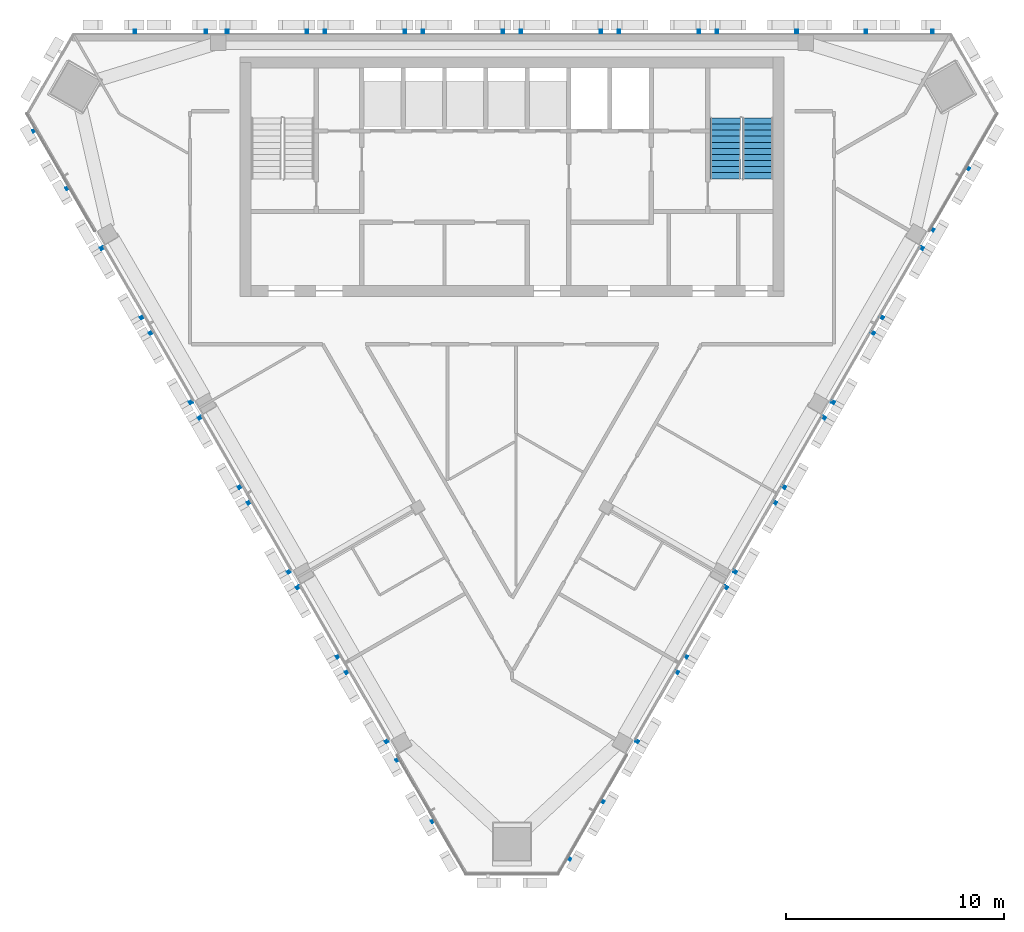
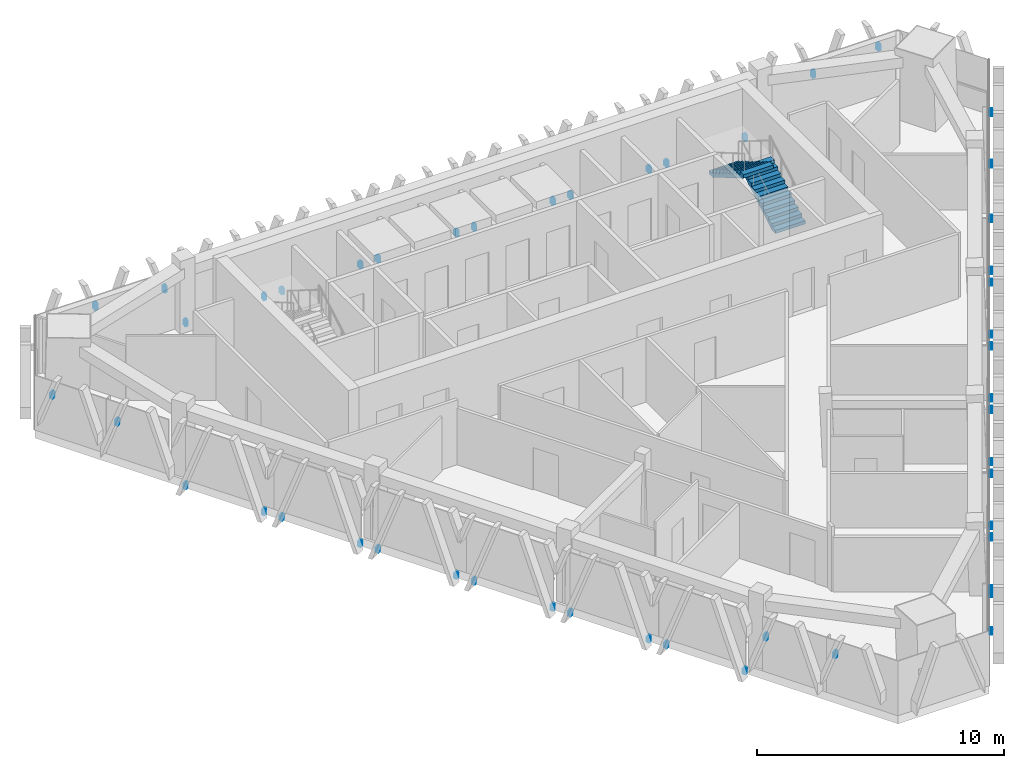
# One storey, part 10 of 14: 3 discrete accessories, 2 stair flights, 1 element without a shape of its own.
"""IFC4 building model written with IfcOpenShell, lengths in metres."""

from ifc_helpers import new_model, si_unit, direction, frame, origin, place, context, subcontext, project, spatial, polyline, outline, extrude, source, transform, mapped, material, type_object, element, aggregate, save


model = new_model("IFC4")

# Units and contexts
model_context = context("Model", 3, precision=1e-05, world=origin(), true_north=direction((0.0, 1.0)))
body_context = subcontext(model_context, "Body", "Model", "MODEL_VIEW")
ifc_project = project(units=[si_unit("LENGTHUNIT", "METRE"), si_unit("AREAUNIT", "SQUARE_METRE"), si_unit("VOLUMEUNIT", "CUBIC_METRE"), si_unit("PLANEANGLEUNIT", "RADIAN"), si_unit("MASSUNIT", "GRAM", prefix="KILO")], contexts=[model_context])

# Site, building, storey
site_placement = place(None, origin())
site = spatial("IfcSite", under=ifc_project, at=site_placement, CompositionType="ELEMENT")
building_placement = place(site_placement, origin())
building = spatial("IfcBuilding", under=site, at=building_placement, Name="Altiplano Prism Tower", CompositionType="ELEMENT")
storey_placement = place(building_placement, frame((0.0, 0.0, 295.0)))
storey = spatial("IfcBuildingStorey", under=building, at=storey_placement, Name="L76", CompositionType="ELEMENT", Elevation=295.0)

# Stair, stair flights
ifc_material_1 = material(Name="Concrete C40/50", Category="concrete")
stair_type = type_object("IfcStairType", Name="Exit stair 1400", PredefinedType="HALF_TURN_STAIR", material=ifc_material_1)
stair_placement = place(storey_placement, origin())
stair = element("IfcStair", 1, at=stair_placement, inside=storey, type_object=stair_type, Name="L76 Exit Stair 2", PredefinedType="HALF_TURN_STAIR")
stair_flight_type = type_object("IfcStairFlightType", Name="Stair flight concrete 150", PredefinedType="STRAIGHT", material=ifc_material_1)
stair_flight_1_placement = place(storey_placement, frame((96.300048828125, 98.300048828125, 0.0), z_axis=(0.0, 0.0, 1.0), x_axis=(0.0, 1.0, 0.0)))
stair_flight_1 = element("IfcStairFlight", 2, at=stair_flight_1_placement, type_object=stair_flight_type, Name="ST2 flight 1", NumberOfRisers=11, NumberOfTreads=10, PredefinedType="STRAIGHT", RiserHeight=0.163636364, TreadLength=0.28, context=body_context, shape_type="SweptSolid", body=[
    extrude(outline(polyline([(0.0, 0.0), (0.0, 0.16357421875), (0.280029296875, 0.16357421875), (0.280029296875, 0.327392578125), (0.56005859375, 0.327392578125), (0.56005859375, 0.490966796875), (0.840087890625, 0.490966796875), (0.840087890625, 0.654541015625), (1.1201171875, 0.654541015625), (1.1201171875, 0.818115234375), (1.39990234375, 0.818115234375), (1.39990234375, 0.98193359375), (1.679931640625, 0.98193359375), (1.679931640625, 1.1455078125), (1.9599609375, 1.1455078125), (1.9599609375, 1.30908203125), (2.239990234375, 1.30908203125), (2.239990234375, 1.47265625), (2.52001953125, 1.47265625), (2.52001953125, 1.636474609375), (2.800048828125, 1.636474609375), (2.800048828125, 1.800048828125), (2.800048828125, 1.462646484375), (0.297119140625, 0.0), (0.0, 0.0)])), frame((0.0, 0.699951171875, 0.0), z_axis=(0.0, -1.0, 0.0), x_axis=(1.0, 0.0, 0.0)), (0.0, 0.0, 1.0), 1.39990234375),
])
stair_flight_2_placement = place(storey_placement, frame((94.800048828125, 101.10009765625, 1.800048828125), z_axis=(0.0, 0.0, 1.0), x_axis=(0.0, -1.0, 0.0)))
stair_flight_2 = element("IfcStairFlight", 3, at=stair_flight_2_placement, type_object=stair_flight_type, Name="ST2 flight 2", NumberOfRisers=11, NumberOfTreads=10, PredefinedType="STRAIGHT", RiserHeight=0.163636364, TreadLength=0.28, context=body_context, shape_type="SweptSolid", body=[
    extrude(outline(polyline([(0.0, 0.0), (0.0, 0.16357421875), (0.280029296875, 0.16357421875), (0.280029296875, 0.327392578125), (0.56005859375, 0.327392578125), (0.56005859375, 0.490966796875), (0.840087890625, 0.490966796875), (0.840087890625, 0.654541015625), (1.1201171875, 0.654541015625), (1.1201171875, 0.818115234375), (1.39990234375, 0.818115234375), (1.39990234375, 0.98193359375), (1.679931640625, 0.98193359375), (1.679931640625, 1.1455078125), (1.9599609375, 1.1455078125), (1.9599609375, 1.30908203125), (2.239990234375, 1.30908203125), (2.239990234375, 1.47265625), (2.52001953125, 1.47265625), (2.52001953125, 1.636474609375), (2.800048828125, 1.636474609375), (2.800048828125, 1.800048828125), (2.800048828125, 1.462646484375), (0.297119140625, 0.0), (0.0, 0.0)])), frame((0.0, 0.699951171875, 0.0), z_axis=(0.0, -1.0, 0.0), x_axis=(1.0, 0.0, 0.0)), (0.0, 0.0, 1.0), 1.39990234375),
])
aggregate(stair, [stair_flight_1, stair_flight_2])

# Discrete accessories
ifc_material_2 = material(Name="Stainless steel", Category="steel")
discrete_accessory_type = type_object("IfcDiscreteAccessoryType", Name="Stone fin fixing prongs", PredefinedType="USERDEFINED", material=ifc_material_2)
shared_shape_1 = source(origin(), body_context, "Body", "SweptSolid", [
    extrude(outline(polyline([(-1.06201171875, 2.34521484375), (-0.942138671875, 2.34521484375), (-0.942138671875, 2.645263671875), (-1.06201171875, 2.645263671875), (-1.06201171875, 2.34521484375)])), frame((0.0, 0.0, 0.0), z_axis=(0.0, -1.0, 0.0), x_axis=(1.0, 0.0, 0.0)), (0.0, 0.0, 1.0), 0.14990234375),
])
shared_shape_2 = source(origin(), body_context, "Body", "SweptSolid", [
    extrude(outline(polyline([(-1.16162109375, 2.07177734375), (-1.041748046875, 2.07177734375), (-1.041748046875, 2.37158203125), (-1.16162109375, 2.37158203125), (-1.16162109375, 2.07177734375)])), frame((0.0, 0.0, 0.0), z_axis=(0.0, -1.0, 0.0), x_axis=(1.0, 0.0, 0.0)), (0.0, 0.0, 1.0), 0.14990234375),
])
shared_shape_3 = source(origin(), body_context, "Body", "SweptSolid", [
    extrude(outline(polyline([(-1.8974609375, 0.06005859375), (-1.777587890625, 0.06005859375), (-1.777587890625, 0.340087890625), (-1.8974609375, 0.340087890625), (-1.8974609375, 0.06005859375)])), frame((0.0, 0.0, 0.0), z_axis=(0.0, -1.0, 0.0), x_axis=(1.0, 0.0, 0.0)), (0.0, 0.0, 1.0), 0.14990234375),
    extrude(outline(polyline([(1.777587890625, 0.06005859375), (1.8974609375, 0.06005859375), (1.8974609375, 0.340087890625), (1.777587890625, 0.340087890625), (1.777587890625, 0.06005859375)])), frame((0.0, 0.0, 0.0), z_axis=(0.0, -1.0, 0.0), x_axis=(1.0, 0.0, 0.0)), (0.0, 0.0, 1.0), 0.14990234375),
])
discrete_accessory_1_placement = place(storey_placement, origin())
element("IfcDiscreteAccessory", 4, at=discrete_accessory_1_placement, inside=storey, type_object=discrete_accessory_type, Name="Fin fixings L76 north face", ObjectType="BRACKET", PredefinedType="USERDEFINED", context=body_context, shape_type="MappedRepresentation", body=[
    mapped(shared_shape_1, transform((103.320068359375, 105.0, -0.39990234375), x_axis=(-1.0, 0.0, 0.0), y_axis=(0.0, -1.0, 0.0), z_axis=(0.0, 0.0, 1.0))),
    mapped(shared_shape_2, transform((100.17333984375, 105.0, -0.39990234375), x_axis=(-1.0, 0.0, 0.0), y_axis=(0.0, -1.0, 0.0), z_axis=(0.0, 0.0, 1.0))),
    mapped(shared_shape_3, transform((96.25, 105.0, -0.39990234375), x_axis=(-1.0, 0.0, 0.0), y_axis=(0.0, -1.0, 0.0), z_axis=(0.0, 0.0, 1.0))),
    mapped(shared_shape_3, transform((91.75, 105.0, -0.39990234375), x_axis=(-1.0, 0.0, 0.0), y_axis=(0.0, -1.0, 0.0), z_axis=(0.0, 0.0, 1.0))),
    mapped(shared_shape_3, transform((87.25, 105.0, -0.39990234375), x_axis=(-1.0, 0.0, 0.0), y_axis=(0.0, -1.0, 0.0), z_axis=(0.0, 0.0, 1.0))),
    mapped(shared_shape_3, transform((82.75, 105.0, -0.39990234375), x_axis=(-1.0, 0.0, 0.0), y_axis=(0.0, -1.0, 0.0), z_axis=(0.0, 0.0, 1.0))),
    mapped(shared_shape_3, transform((78.25, 105.0, -0.39990234375), x_axis=(-1.0, 0.0, 0.0), y_axis=(0.0, -1.0, 0.0), z_axis=(0.0, 0.0, 1.0))),
    mapped(shared_shape_3, transform((73.75, 105.0, -0.39990234375), x_axis=(-1.0, 0.0, 0.0), y_axis=(0.0, -1.0, 0.0), z_axis=(0.0, 0.0, 1.0))),
    mapped(shared_shape_2, transform((69.82666015625, 105.0, -0.39990234375), x_axis=(-1.0, 0.0, 0.0), y_axis=(0.0, -1.0, 0.0), z_axis=(0.0, 0.0, 1.0))),
    mapped(shared_shape_1, transform((66.679931640625, 105.0, -0.39990234375), x_axis=(-1.0, 0.0, 0.0), y_axis=(0.0, -1.0, 0.0), z_axis=(0.0, 0.0, 1.0))),
])
discrete_accessory_2_placement = place(storey_placement, origin())
element("IfcDiscreteAccessory", 5, at=discrete_accessory_2_placement, inside=storey, type_object=discrete_accessory_type, Name="Fin fixings L76 south-west face", ObjectType="BRACKET", PredefinedType="USERDEFINED", context=body_context, shape_type="MappedRepresentation", body=[
    mapped(shared_shape_1, transform((63.608154296875, 99.6796875, -0.39990234375), x_axis=(0.499999990992, -0.866025408985, 0.0), y_axis=(0.866025408985, 0.499999990992, 0.0), z_axis=(0.0, 0.0, 1.0))),
    mapped(shared_shape_2, transform((65.181640625, 96.95458984375, -0.39990234375), x_axis=(0.499999990992, -0.866025408985, 0.0), y_axis=(0.866025408985, 0.499999990992, 0.0), z_axis=(0.0, 0.0, 1.0))),
    mapped(shared_shape_3, transform((67.143310546875, 93.556884765625, -0.39990234375), x_axis=(0.499999990992, -0.866025408985, 0.0), y_axis=(0.866025408985, 0.499999990992, 0.0), z_axis=(0.0, 0.0, 1.0))),
    mapped(shared_shape_3, transform((69.393310546875, 89.65966796875, -0.39990234375), x_axis=(0.499999990992, -0.866025408985, 0.0), y_axis=(0.866025408985, 0.499999990992, 0.0), z_axis=(0.0, 0.0, 1.0))),
    mapped(shared_shape_3, transform((71.643310546875, 85.762451171875, -0.39990234375), x_axis=(0.499999990992, -0.866025408985, 0.0), y_axis=(0.866025408985, 0.499999990992, 0.0), z_axis=(0.0, 0.0, 1.0))),
    mapped(shared_shape_3, transform((73.893310546875, 81.865478515625, -0.39990234375), x_axis=(0.499999990992, -0.866025408985, 0.0), y_axis=(0.866025408985, 0.499999990992, 0.0), z_axis=(0.0, 0.0, 1.0))),
    mapped(shared_shape_3, transform((76.143310546875, 77.96826171875, -0.39990234375), x_axis=(0.499999990992, -0.866025408985, 0.0), y_axis=(0.866025408985, 0.499999990992, 0.0), z_axis=(0.0, 0.0, 1.0))),
    mapped(shared_shape_3, transform((78.393310546875, 74.0712890625, -0.39990234375), x_axis=(0.499999990992, -0.866025408985, 0.0), y_axis=(0.866025408985, 0.499999990992, 0.0), z_axis=(0.0, 0.0, 1.0))),
    mapped(shared_shape_2, transform((80.35498046875, 70.673583984375, -0.39990234375), x_axis=(0.499999990992, -0.866025408985, 0.0), y_axis=(0.866025408985, 0.499999990992, 0.0), z_axis=(0.0, 0.0, 1.0))),
    mapped(shared_shape_1, transform((81.92822265625, 67.9482421875, -0.39990234375), x_axis=(0.499999990992, -0.866025408985, 0.0), y_axis=(0.866025408985, 0.499999990992, 0.0), z_axis=(0.0, 0.0, 1.0))),
])
discrete_accessory_3_placement = place(storey_placement, origin())
element("IfcDiscreteAccessory", 6, at=discrete_accessory_3_placement, inside=storey, type_object=discrete_accessory_type, Name="Fin fixings L76 south-east face", ObjectType="BRACKET", PredefinedType="USERDEFINED", context=body_context, shape_type="MappedRepresentation", body=[
    mapped(shared_shape_1, transform((88.07177734375, 67.9482421875, -0.39990234375), x_axis=(0.499999990992, 0.866025408985, 0.0), y_axis=(-0.866025408985, 0.499999990992, 0.0), z_axis=(0.0, 0.0, 1.0))),
    mapped(shared_shape_2, transform((89.64501953125, 70.673583984375, -0.39990234375), x_axis=(0.499999990992, 0.866025408985, 0.0), y_axis=(-0.866025408985, 0.499999990992, 0.0), z_axis=(0.0, 0.0, 1.0))),
    mapped(shared_shape_3, transform((91.606689453125, 74.0712890625, -0.39990234375), x_axis=(0.499999990992, 0.866025408985, 0.0), y_axis=(-0.866025408985, 0.499999990992, 0.0), z_axis=(0.0, 0.0, 1.0))),
    mapped(shared_shape_3, transform((93.856689453125, 77.96826171875, -0.39990234375), x_axis=(0.499999990992, 0.866025408985, 0.0), y_axis=(-0.866025408985, 0.499999990992, 0.0), z_axis=(0.0, 0.0, 1.0))),
    mapped(shared_shape_3, transform((96.106689453125, 81.865478515625, -0.39990234375), x_axis=(0.499999990992, 0.866025408985, 0.0), y_axis=(-0.866025408985, 0.499999990992, 0.0), z_axis=(0.0, 0.0, 1.0))),
    mapped(shared_shape_3, transform((98.356689453125, 85.762451171875, -0.39990234375), x_axis=(0.499999990992, 0.866025408985, 0.0), y_axis=(-0.866025408985, 0.499999990992, 0.0), z_axis=(0.0, 0.0, 1.0))),
    mapped(shared_shape_3, transform((100.606689453125, 89.65966796875, -0.39990234375), x_axis=(0.499999990992, 0.866025408985, 0.0), y_axis=(-0.866025408985, 0.499999990992, 0.0), z_axis=(0.0, 0.0, 1.0))),
    mapped(shared_shape_3, transform((102.856689453125, 93.556884765625, -0.39990234375), x_axis=(0.499999990992, 0.866025408985, 0.0), y_axis=(-0.866025408985, 0.499999990992, 0.0), z_axis=(0.0, 0.0, 1.0))),
    mapped(shared_shape_2, transform((104.818359375, 96.95458984375, -0.39990234375), x_axis=(0.499999990992, 0.866025408985, 0.0), y_axis=(-0.866025408985, 0.499999990992, 0.0), z_axis=(0.0, 0.0, 1.0))),
    mapped(shared_shape_1, transform((106.391845703125, 99.6796875, -0.39990234375), x_axis=(0.499999990992, 0.866025408985, 0.0), y_axis=(-0.866025408985, 0.499999990992, 0.0), z_axis=(0.0, 0.0, 1.0))),
])

save(model, "model.ifc")
